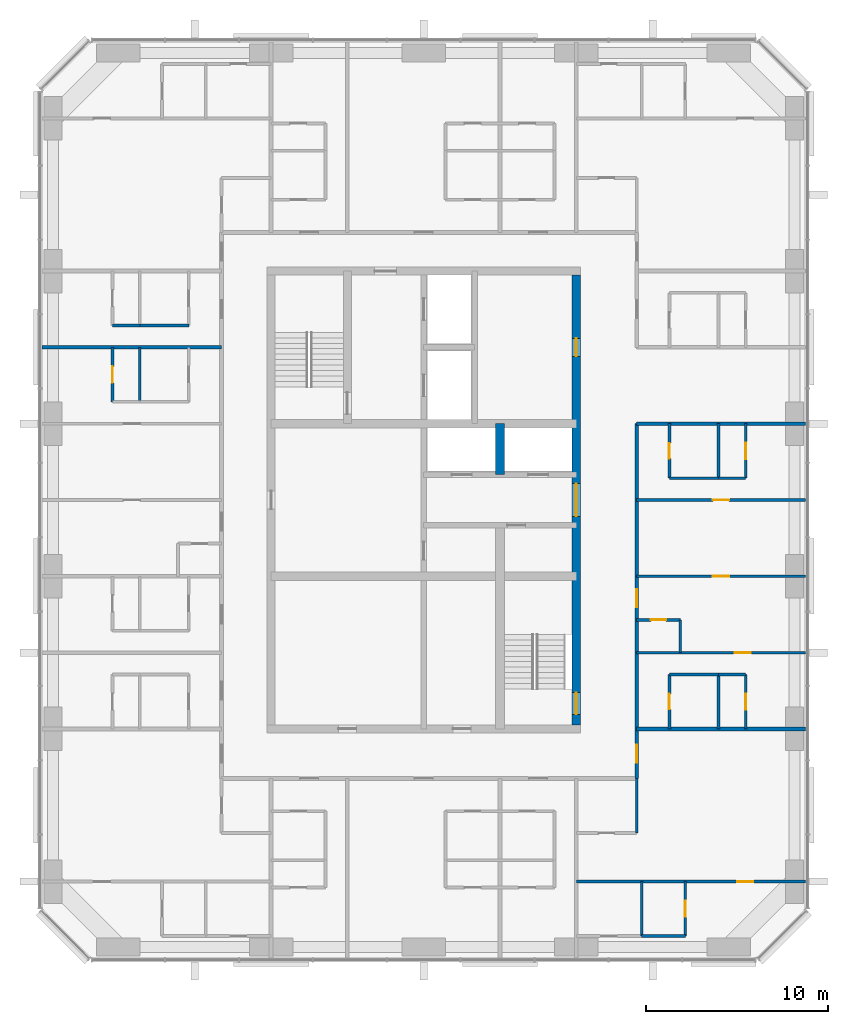
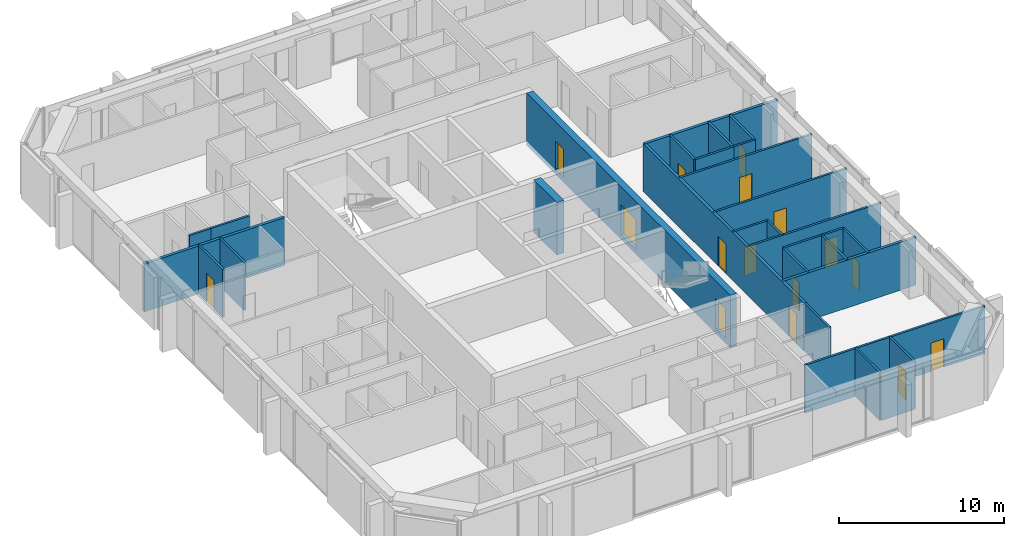
# One storey, part 9 of 12: 30 walls, 16 doors, 16 openings.
"""IFC4 building model written with IfcOpenShell, lengths in metres."""

from ifc_helpers import new_model, si_unit, direction, frame, frame_2d, origin, place, context, subcontext, project, spatial, rectangle, extrude, material, layer, layer_set, type_object, element, fill, save


model = new_model("IFC4")

# Units and contexts
model_context = context("Model", 3, precision=1e-05, world=origin(), true_north=direction((0.0, 1.0)))
body_context = subcontext(model_context, "Body", "Model", "MODEL_VIEW")
ifc_project = project(units=[si_unit("LENGTHUNIT", "METRE"), si_unit("AREAUNIT", "SQUARE_METRE"), si_unit("VOLUMEUNIT", "CUBIC_METRE"), si_unit("PLANEANGLEUNIT", "RADIAN"), si_unit("MASSUNIT", "GRAM", prefix="KILO")], contexts=[model_context])

# Site, building, storey
site_placement = place(None, origin())
site = spatial("IfcSite", under=ifc_project, at=site_placement, CompositionType="ELEMENT")
building_placement = place(site_placement, origin())
building = spatial("IfcBuilding", under=site, at=building_placement, Name="Dunama Terrace Hotel", CompositionType="ELEMENT")
storey_placement = place(building_placement, frame((0.0, 0.0, 272.39990234375)))
storey = spatial("IfcBuildingStorey", under=building, at=storey_placement, Name="L70", CompositionType="ELEMENT", Elevation=272.39990234375)

# Wall
ifc_material_1 = material(Name="Gypsum board partition", Category="masonry")
ifc_layer_1 = layer(ifc_material_1, 0.14990234375)
ifc_layer_set_1 = layer_set([ifc_layer_1], Name="Bathroom partition 150")
wall_type_1 = type_object("IfcWallType", Name="Bathroom partition 150", PredefinedType="PARTITIONING", material=ifc_layer_set_1)
wall_1_placement = place(storey_placement, frame((45.324951171875, 11.074951171875, 0.0), z_axis=(0.0, 0.0, 1.0), x_axis=(0.0, 1.0, 0.0)))
element("IfcWall", 1, at=wall_1_placement, inside=storey, type_object=wall_type_1, Name="Bathroom partition 150 L70", PredefinedType="PARTITIONING", context=body_context, shape_type="SweptSolid", body=[
    extrude(rectangle(XDim=3.0, YDim=0.14990234375, at=frame_2d((1.5, 0.0))), origin(), (0.0, 0.0, 1.0), 3.550048828125),
])

# Wall, opening, door
wall_2_placement = place(storey_placement, frame((47.125, 16.800048828125, 0.0), z_axis=(0.0, 0.0, 1.0), x_axis=(0.0, 1.0, 0.0)))
wall_2 = element("IfcWall", 2, at=wall_2_placement, inside=storey, type_object=wall_type_1, Name="Bathroom partition 150 L70", PredefinedType="PARTITIONING", context=body_context, shape_type="SweptSolid", body=[
    extrude(rectangle(XDim=3.0, YDim=0.14990234375, at=frame_2d((1.5, 0.0))), origin(), (0.0, 0.0, 1.0), 3.550048828125),
])
opening_1_placement = place(wall_2_placement, frame((1.074951171875, 0.0, 0.0)))
opening_1 = element("IfcOpeningElement", 3, at=opening_1_placement, cuts=wall_2, Name="Opening L68-70-019", PredefinedType="OPENING", context=body_context, shape_type="SweptSolid", body=[
    extrude(rectangle(XDim=0.85009765625, YDim=2.10009765625, at=frame_2d((0.425048828125, 1.050048828125))), frame((0.0, 0.0849609375, 0.0), z_axis=(0.0, -1.0, 0.0), x_axis=(1.0, 0.0, 0.0)), (0.0, 0.0, 1.0), 0.169921875),
])
ifc_material_2 = material(Name="Timber door with steel frame", Category="steel")
door_type_1 = type_object("IfcDoorType", Name="Bathroom door 850", OperationType="SINGLE_SWING_LEFT", PredefinedType="DOOR", material=ifc_material_2)
door_1_placement = place(opening_1_placement, frame((0.85009765625, 0.0, 0.0), z_axis=(0.0, 0.0, 1.0), x_axis=(-1.0, 0.0, 0.0)))
door_1 = element("IfcDoor", 4, at=door_1_placement, inside=storey, type_object=door_type_1, Name="Door to en-suite bathroom L68-70-019, type D2", OperationType="SINGLE_SWING_RIGHT", OverallHeight=2.10009765625, OverallWidth=0.85009765625, PredefinedType="DOOR", context=body_context, shape_type="SweptSolid", body=[
    extrude(rectangle(XDim=0.85009765625, YDim=2.10009765625, at=frame_2d((0.425048828125, 1.050048828125))), frame((0.0, 0.025146484375, 0.0), z_axis=(0.0, -1.0, 0.0), x_axis=(1.0, 0.0, 0.0)), (0.0, 0.0, 1.0), 0.050048828125),
])
fill(opening_1, door_1)

wall_3_placement = place(storey_placement, frame((47.125, 30.60009765625, 0.0), z_axis=(0.0, 0.0, 1.0), x_axis=(0.0, 1.0, 0.0)))
wall_3 = element("IfcWall", 5, at=wall_3_placement, inside=storey, type_object=wall_type_1, Name="Bathroom partition 150 L70", PredefinedType="PARTITIONING", context=body_context, shape_type="SweptSolid", body=[
    extrude(rectangle(XDim=3.0, YDim=0.14990234375, at=frame_2d((1.5, 0.0))), origin(), (0.0, 0.0, 1.0), 3.550048828125),
])
opening_2_placement = place(wall_3_placement, frame((1.074951171875, 0.0, 0.0)))
opening_2 = element("IfcOpeningElement", 6, at=opening_2_placement, cuts=wall_3, Name="Opening L68-70-023", PredefinedType="OPENING", context=body_context, shape_type="SweptSolid", body=[
    extrude(rectangle(XDim=0.85009765625, YDim=2.10009765625, at=frame_2d((0.425048828125, 1.050048828125))), frame((0.0, 0.0849609375, 0.0), z_axis=(0.0, -1.0, 0.0), x_axis=(1.0, 0.0, 0.0)), (0.0, 0.0, 1.0), 0.169921875),
])
door_2_placement = place(opening_2_placement, frame((0.85009765625, 0.0, 0.0), z_axis=(0.0, 0.0, 1.0), x_axis=(-1.0, 0.0, 0.0)))
door_2 = element("IfcDoor", 7, at=door_2_placement, inside=storey, type_object=door_type_1, Name="Door to en-suite bathroom L68-70-023, type D2", OperationType="SINGLE_SWING_LEFT", OverallHeight=2.10009765625, OverallWidth=0.85009765625, PredefinedType="DOOR", context=body_context, shape_type="SweptSolid", body=[
    extrude(rectangle(XDim=0.85009765625, YDim=2.10009765625, at=frame_2d((0.425048828125, 1.050048828125))), frame((0.0, 0.025146484375, 0.0), z_axis=(0.0, -1.0, 0.0), x_axis=(1.0, 0.0, 0.0)), (0.0, 0.0, 1.0), 0.050048828125),
])
fill(opening_2, door_2)

# Walls
wall_4_placement = place(storey_placement, frame((47.72509765625, 21.0, 0.0), z_axis=(0.0, 0.0, 1.0), x_axis=(0.0, 1.0, 0.0)))
element("IfcWall", 8, at=wall_4_placement, inside=storey, type_object=wall_type_1, Name="Bathroom partition 150 L70", PredefinedType="PARTITIONING", context=body_context, shape_type="SweptSolid", body=[
    extrude(rectangle(XDim=1.800048828125, YDim=0.14990234375, at=frame_2d((0.89990234375, 0.0))), origin(), (0.0, 0.0, 1.0), 3.550048828125),
])
wall_5_placement = place(storey_placement, frame((47.125, 19.800048828125, 0.0), z_axis=(0.0, 0.0, 1.0), x_axis=(1.0, 0.0, 0.0)))
element("IfcWall", 9, at=wall_5_placement, inside=storey, type_object=wall_type_1, Name="Bathroom partition 150 L70", PredefinedType="PARTITIONING", context=body_context, shape_type="SweptSolid", body=[
    extrude(rectangle(XDim=2.699951171875, YDim=0.14990234375, at=frame_2d((1.35009765625, 0.0))), origin(), (0.0, 0.0, 1.0), 3.550048828125),
])

# Wall, opening, door
wall_6_placement = place(storey_placement, frame((45.324951171875, 22.800048828125, 0.0), z_axis=(0.0, 0.0, 1.0), x_axis=(1.0, 0.0, 0.0)))
wall_6 = element("IfcWall", 10, at=wall_6_placement, inside=storey, type_object=wall_type_1, Name="Bathroom partition 150 L70", PredefinedType="PARTITIONING", context=body_context, shape_type="SweptSolid", body=[
    extrude(rectangle(XDim=2.400146484375, YDim=0.14990234375, at=frame_2d((1.2001953125, 0.0))), origin(), (0.0, 0.0, 1.0), 3.550048828125),
])
opening_3_placement = place(wall_6_placement, frame((0.77490234375, 0.0, 0.0)))
opening_3 = element("IfcOpeningElement", 11, at=opening_3_placement, cuts=wall_6, Name="Opening L68-70-017", PredefinedType="OPENING", context=body_context, shape_type="SweptSolid", body=[
    extrude(rectangle(XDim=0.85009765625, YDim=2.10009765625, at=frame_2d((0.425048828125, 1.050048828125))), frame((0.0, 0.0849609375, 0.0), z_axis=(0.0, -1.0, 0.0), x_axis=(1.0, 0.0, 0.0)), (0.0, 0.0, 1.0), 0.169921875),
])
door_3_placement = place(opening_3_placement, frame((0.85009765625, 0.0, 0.0), z_axis=(0.0, 0.0, 1.0), x_axis=(-1.0, 0.0, 0.0)))
door_3 = element("IfcDoor", 12, at=door_3_placement, inside=storey, type_object=door_type_1, Name="Door to powder room L68-70-017, type D2", OperationType="SINGLE_SWING_RIGHT", OverallHeight=2.10009765625, OverallWidth=0.85009765625, PredefinedType="DOOR", context=body_context, shape_type="SweptSolid", body=[
    extrude(rectangle(XDim=0.85009765625, YDim=2.10009765625, at=frame_2d((0.425048828125, 1.050048828125))), frame((0.0, 0.025146484375, 0.0), z_axis=(0.0, -1.0, 0.0), x_axis=(1.0, 0.0, 0.0)), (0.0, 0.0, 1.0), 0.050048828125),
])
fill(opening_3, door_3)

# Walls
for number, where, z_axis, x_axis, name in (
    (13, (47.125, 30.60009765625, 0.0), (0.0, 0.0, 1.0), (1.0, 0.0, 0.0), "Bathroom partition 150 L70"),
    (14, (17.97509765625, 39.0, 0.0), (0.0, 0.0, 1.0), (1.0, 0.0, 0.0), "Bathroom partition 150 L70"),
):
    element("IfcWall", number, at=place(storey_placement, frame(where, z_axis=z_axis, x_axis=x_axis)), inside=storey, type_object=wall_type_1, Name=name, PredefinedType="PARTITIONING", context=body_context, shape_type="SweptSolid", body=[
        extrude(rectangle(XDim=2.699951171875, YDim=0.14990234375, at=frame_2d((1.35009765625, 0.0))), origin(), (0.0, 0.0, 1.0), 3.550048828125),
    ])
ifc_material_3 = material(Name="Concrete C50/60", Category="concrete")
ifc_layer_2 = layer(ifc_material_3, 0.5)
ifc_layer_set_2 = layer_set([ifc_layer_2], Name="Core inner wall 500")
wall_type_2 = type_object("IfcWallType", Name="Core inner wall 500", PredefinedType="SHEAR", material=ifc_layer_set_2)
wall_7_placement = place(storey_placement, frame((37.800048828125, 30.800048828125, -0.349853515625), z_axis=(0.0, 0.0, 1.0), x_axis=(0.0, 1.0, 0.0)))
element("IfcWall", 15, at=wall_7_placement, inside=storey, type_object=wall_type_2, Name="Core inner wall 500 L70", PredefinedType="SHEAR", context=body_context, shape_type="SweptSolid", body=[
    extrude(rectangle(XDim=2.800048828125, YDim=0.5, at=frame_2d((1.39990234375, 0.0))), origin(), (0.0, 0.0, 1.0), 3.89990234375),
])

# Wall, openings, doors
ifc_material_4 = material(Name="Concrete C50/60", Category="concrete")
ifc_layer_3 = layer(ifc_material_4, 0.449951171875)
ifc_layer_set_3 = layer_set([ifc_layer_3], Name="Core wall 450")
wall_type_3 = type_object("IfcWallType", Name="Core wall 450", PredefinedType="SHEAR", material=ifc_layer_set_3)
wall_8_placement = place(storey_placement, frame((42.0, 17.02490234375, -0.349853515625), z_axis=(0.0, 0.0, 1.0), x_axis=(0.0, 1.0, 0.0)))
wall_8 = element("IfcWall", 16, at=wall_8_placement, inside=storey, type_object=wall_type_3, Name="Core wall east L70", PredefinedType="SHEAR", context=body_context, shape_type="SweptSolid", body=[
    extrude(rectangle(XDim=24.75, YDim=0.449951171875, at=frame_2d((12.375, 0.0))), origin(), (0.0, 0.0, 1.0), 3.89990234375),
])
opening_4_placement = place(wall_8_placement, frame((0.574951171875, 0.0, 0.35009765625)))
opening_4 = element("IfcOpeningElement", 17, at=opening_4_placement, cuts=wall_8, Name="Opening L68-70-002", PredefinedType="OPENING", context=body_context, shape_type="SweptSolid", body=[
    extrude(rectangle(XDim=1.199951171875, YDim=2.199951171875, at=frame_2d((0.60009765625, 1.10009765625))), frame((0.0, 0.23486328125, 0.0), z_axis=(0.0, -1.0, 0.0), x_axis=(1.0, 0.0, 0.0)), (0.0, 0.0, 1.0), 0.469970703125),
])
opening_5_placement = place(wall_8_placement, frame((11.47509765625, 0.0, 0.35009765625)))
opening_5 = element("IfcOpeningElement", 18, at=opening_5_placement, cuts=wall_8, Name="Opening L68-70-075", PredefinedType="OPENING", context=body_context, shape_type="SweptSolid", body=[
    extrude(rectangle(XDim=1.800048828125, YDim=2.199951171875, at=frame_2d((0.89990234375, 1.10009765625))), frame((0.0, 0.23486328125, 0.0), z_axis=(0.0, -1.0, 0.0), x_axis=(1.0, 0.0, 0.0)), (0.0, 0.0, 1.0), 0.469970703125),
])
opening_6_placement = place(wall_8_placement, frame((20.27490234375, 0.0, 0.35009765625)))
opening_6 = element("IfcOpeningElement", 19, at=opening_6_placement, cuts=wall_8, Name="Opening L68-70-077", PredefinedType="OPENING", context=body_context, shape_type="SweptSolid", body=[
    extrude(rectangle(XDim=1.0, YDim=2.10009765625, at=frame_2d((0.5, 1.050048828125))), frame((0.0, 0.23486328125, 0.0), z_axis=(0.0, -1.0, 0.0), x_axis=(1.0, 0.0, 0.0)), (0.0, 0.0, 1.0), 0.469970703125),
])
ifc_material_5 = material(Name="Timber door with steel frame", Category="steel")
door_type_2 = type_object("IfcDoorType", Name="Lift lobby double door 1800", OperationType="DOUBLE_DOOR_DOUBLE_SWING", PredefinedType="DOOR", material=ifc_material_5)
door_4_placement = place(opening_5_placement, origin())
door_4 = element("IfcDoor", 20, at=door_4_placement, inside=storey, type_object=door_type_2, Name="Door to lift lobby L68-70-075, type D3", OperationType="DOUBLE_DOOR_DOUBLE_SWING", OverallHeight=2.199951171875, OverallWidth=1.800048828125, PredefinedType="DOOR", context=body_context, shape_type="SweptSolid", body=[
    extrude(rectangle(XDim=1.800048828125, YDim=2.199951171875, at=frame_2d((0.89990234375, 1.10009765625))), frame((0.0, 0.02490234375, 0.0), z_axis=(0.0, -1.0, 0.0), x_axis=(1.0, 0.0, 0.0)), (0.0, 0.0, 1.0), 0.050048828125),
])
fill(opening_5, door_4)
ifc_material_6 = material(Name="Timber door with steel frame", Category="steel")
door_type_3 = type_object("IfcDoorType", Name="Service door 1000", OperationType="SINGLE_SWING_LEFT", PredefinedType="DOOR", material=ifc_material_6)
door_5_placement = place(opening_6_placement, origin())
door_5 = element("IfcDoor", 21, at=door_5_placement, inside=storey, type_object=door_type_3, Name="Door to housekeeping store L68-70-077, type D7", OperationType="SINGLE_SWING_RIGHT", OverallHeight=2.10009765625, OverallWidth=1.0, PredefinedType="DOOR", context=body_context, shape_type="SweptSolid", body=[
    extrude(rectangle(XDim=1.0, YDim=2.10009765625, at=frame_2d((0.5, 1.050048828125))), frame((0.0, 0.02490234375, 0.0), z_axis=(0.0, -1.0, 0.0), x_axis=(1.0, 0.0, 0.0)), (0.0, 0.0, 1.0), 0.050048828125),
])
fill(opening_6, door_5)
ifc_material_7 = material(Name="Timber door with steel frame", Category="steel")
door_type_4 = type_object("IfcDoorType", Name="Stair door 1200", OperationType="SINGLE_SWING_LEFT", PredefinedType="DOOR", material=ifc_material_7)
door_6_placement = place(opening_4_placement, origin())
door_6 = element("IfcDoor", 22, at=door_6_placement, inside=storey, type_object=door_type_4, Name="Stair door ST2 L68-70-002, type D5", OperationType="SINGLE_SWING_LEFT", OverallHeight=2.199951171875, OverallWidth=1.199951171875, PredefinedType="DOOR", context=body_context, shape_type="SweptSolid", body=[
    extrude(rectangle(XDim=1.199951171875, YDim=2.199951171875, at=frame_2d((0.60009765625, 1.10009765625))), frame((0.0, 0.02490234375, 0.0), z_axis=(0.0, -1.0, 0.0), x_axis=(1.0, 0.0, 0.0)), (0.0, 0.0, 1.0), 0.050048828125),
])
fill(opening_4, door_6)

ifc_material_8 = material(Name="Concrete blockwork", Category="masonry")
ifc_layer_4 = layer(ifc_material_8, 0.199951171875)
ifc_layer_set_4 = layer_set([ifc_layer_4], Name="Corridor partition 200")
wall_type_4 = type_object("IfcWallType", Name="Corridor partition 200", PredefinedType="PARTITIONING", material=ifc_layer_set_4)
wall_9_placement = place(storey_placement, frame((45.324951171875, 33.60009765625, 0.0), z_axis=(0.0, 0.0, 1.0), x_axis=(0.0, -1.0, 0.0)))
wall_9 = element("IfcWall", 23, at=wall_9_placement, inside=storey, type_object=wall_type_4, Name="Corridor partition 200 L70", PredefinedType="PARTITIONING", context=body_context, shape_type="SweptSolid", body=[
    extrude(rectangle(XDim=19.525146484375, YDim=0.199951171875, at=frame_2d((9.7626953125, 0.0))), origin(), (0.0, 0.0, 1.0), 3.550048828125),
])
opening_7_placement = place(wall_9_placement, frame((9.10009765625, 0.0, 0.0)))
opening_7 = element("IfcOpeningElement", 24, at=opening_7_placement, cuts=wall_9, Name="Opening L68-70-016", PredefinedType="OPENING", context=body_context, shape_type="SweptSolid", body=[
    extrude(rectangle(XDim=1.0, YDim=2.199951171875, at=frame_2d((0.5, 1.10009765625))), frame((0.0, 0.10986328125, 0.0), z_axis=(0.0, -1.0, 0.0), x_axis=(1.0, 0.0, 0.0)), (0.0, 0.0, 1.0), 0.219970703125),
])
opening_8_placement = place(wall_9_placement, frame((17.662109375, 0.0, 0.0)))
opening_8 = element("IfcOpeningElement", 25, at=opening_8_placement, cuts=wall_9, Name="Opening L68-70-057", PredefinedType="OPENING", context=body_context, shape_type="SweptSolid", body=[
    extrude(rectangle(XDim=1.0, YDim=2.199951171875, at=frame_2d((0.5, 1.10009765625))), frame((0.0, 0.10986328125, 0.0), z_axis=(0.0, -1.0, 0.0), x_axis=(1.0, 0.0, 0.0)), (0.0, 0.0, 1.0), 0.219970703125),
])
ifc_material_9 = material(Name="Timber door with steel frame", Category="steel")
door_type_5 = type_object("IfcDoorType", Name="Guest room door 1000", OperationType="SINGLE_SWING_LEFT", PredefinedType="DOOR", material=ifc_material_9)
door_7_placement = place(opening_7_placement, origin())
door_7 = element("IfcDoor", 26, at=door_7_placement, inside=storey, type_object=door_type_5, Name="Door to grand suite living room L68-70-016, type D1", OperationType="SINGLE_SWING_RIGHT", OverallHeight=2.199951171875, OverallWidth=1.0, PredefinedType="DOOR", context=body_context, shape_type="SweptSolid", body=[
    extrude(rectangle(XDim=1.0, YDim=2.199951171875, at=frame_2d((0.5, 1.10009765625))), frame((0.0, 0.02490234375, 0.0), z_axis=(0.0, -1.0, 0.0), x_axis=(1.0, 0.0, 0.0)), (0.0, 0.0, 1.0), 0.050048828125),
])
fill(opening_7, door_7)
door_8_placement = place(opening_8_placement, origin())
door_8 = element("IfcDoor", 27, at=door_8_placement, inside=storey, type_object=door_type_5, Name="Door to grand corner suite living room L68-70-057, type D1", OperationType="SINGLE_SWING_LEFT", OverallHeight=2.199951171875, OverallWidth=1.0, PredefinedType="DOOR", context=body_context, shape_type="SweptSolid", body=[
    extrude(rectangle(XDim=1.0, YDim=2.199951171875, at=frame_2d((0.5, 1.10009765625))), frame((0.0, 0.02490234375, 0.0), z_axis=(0.0, -1.0, 0.0), x_axis=(1.0, 0.0, 0.0)), (0.0, 0.0, 1.0), 0.050048828125),
])
fill(opening_8, door_8)

# Walls
wall_10_placement = place(storey_placement, frame((54.617919921875, 33.60009765625, 0.0), z_axis=(0.0, 0.0, 1.0), x_axis=(-1.0, 0.0, 0.0)))
element("IfcWall", 28, at=wall_10_placement, inside=storey, type_object=wall_type_4, Name="Corridor partition 200 L70", PredefinedType="PARTITIONING", context=body_context, shape_type="SweptSolid", body=[
    extrude(rectangle(XDim=9.29296875, YDim=0.199951171875, at=frame_2d((4.646484375, 0.0))), origin(), (0.0, 0.0, 1.0), 3.550048828125),
])
ifc_material_10 = material(Name="Concrete blockwork", Category="masonry")
ifc_layer_5 = layer(ifc_material_10, 0.199951171875)
ifc_layer_set_5 = layer_set([ifc_layer_5], Name="Party wall 200")
wall_type_5 = type_object("IfcWallType", Name="Party wall 200", PredefinedType="PARTITIONING", material=ifc_layer_set_5)
wall_11_placement = place(storey_placement, frame((45.324951171875, 16.800048828125, 0.0), z_axis=(0.0, 0.0, 1.0), x_axis=(1.0, 0.0, 0.0)))
element("IfcWall", 29, at=wall_11_placement, inside=storey, type_object=wall_type_5, Name="Party wall 200 L70", PredefinedType="PARTITIONING", context=body_context, shape_type="SweptSolid", body=[
    extrude(rectangle(XDim=9.29296875, YDim=0.199951171875, at=frame_2d((4.646484375, 0.0))), origin(), (0.0, 0.0, 1.0), 3.550048828125),
])
wall_12_placement = place(storey_placement, frame((12.58203125, 37.800048828125, 0.0), z_axis=(0.0, 0.0, 1.0), x_axis=(1.0, 0.0, 0.0)))
element("IfcWall", 30, at=wall_12_placement, inside=storey, type_object=wall_type_5, Name="Party wall 200 L70", PredefinedType="PARTITIONING", context=body_context, shape_type="SweptSolid", body=[
    extrude(rectangle(XDim=9.89306640625, YDim=0.199951171875, at=frame_2d((4.946533203125, 0.0))), origin(), (0.0, 0.0, 1.0), 3.550048828125),
])

# Wall, opening, door
ifc_material_11 = material(Name="Gypsum board partition", Category="masonry")
ifc_layer_6 = layer(ifc_material_11, 0.14990234375)
ifc_layer_set_6 = layer_set([ifc_layer_6], Name="Room partition 150")
wall_type_6 = type_object("IfcWallType", Name="Room partition 150", PredefinedType="PARTITIONING", material=ifc_layer_set_6)
wall_13_placement = place(storey_placement, frame((16.47509765625, 34.800048828125, 0.0), z_axis=(0.0, 0.0, 1.0), x_axis=(0.0, 1.0, 0.0)))
wall_13 = element("IfcWall", 31, at=wall_13_placement, inside=storey, type_object=wall_type_6, Name="Room partition 150 L70", PredefinedType="PARTITIONING", context=body_context, shape_type="SweptSolid", body=[
    extrude(rectangle(XDim=3.0, YDim=0.14990234375, at=frame_2d((1.5, 0.0))), origin(), (0.0, 0.0, 1.0), 3.550048828125),
])
opening_9_placement = place(wall_13_placement, frame((1.050048828125, 0.0, 0.0)))
opening_9 = element("IfcOpeningElement", 32, at=opening_9_placement, cuts=wall_13, Name="Opening L68-70-048", PredefinedType="OPENING", context=body_context, shape_type="SweptSolid", body=[
    extrude(rectangle(XDim=0.89990234375, YDim=2.10009765625, at=frame_2d((0.449951171875, 1.050048828125))), frame((0.0, 0.0849609375, 0.0), z_axis=(0.0, -1.0, 0.0), x_axis=(1.0, 0.0, 0.0)), (0.0, 0.0, 1.0), 0.169921875),
])
ifc_material_12 = material(Name="Timber door with steel frame", Category="steel")
door_type_6 = type_object("IfcDoorType", Name="Suite internal door 900", OperationType="SINGLE_SWING_LEFT", PredefinedType="DOOR", material=ifc_material_12)
door_9_placement = place(opening_9_placement, frame((0.89990234375, 0.0, 0.0), z_axis=(0.0, 0.0, 1.0), x_axis=(-1.0, 0.0, 0.0)))
door_9 = element("IfcDoor", 33, at=door_9_placement, inside=storey, type_object=door_type_6, Name="Door to walk-in wardrobe L68-70-048, type D16", OperationType="SINGLE_SWING_RIGHT", OverallHeight=2.10009765625, OverallWidth=0.89990234375, PredefinedType="DOOR", context=body_context, shape_type="SweptSolid", body=[
    extrude(rectangle(XDim=0.89990234375, YDim=2.10009765625, at=frame_2d((0.449951171875, 1.050048828125))), frame((0.0, 0.025146484375, 0.0), z_axis=(0.0, -1.0, 0.0), x_axis=(1.0, 0.0, 0.0)), (0.0, 0.0, 1.0), 0.050048828125),
])
fill(opening_9, door_9)

# Walls
for number, where, z_axis, x_axis, name in (
    (34, (17.97509765625, 34.800048828125, 0.0), (0.0, 0.0, 1.0), (0.0, 1.0, 0.0), "Room partition 150 L70"),
    (35, (45.60009765625, 5.39990234375, 0.0), (0.0, 0.0, 1.0), (0.0, 1.0, 0.0), "Room partition 150 L70"),
):
    element("IfcWall", number, at=place(storey_placement, frame(where, z_axis=z_axis, x_axis=x_axis)), inside=storey, type_object=wall_type_6, Name=name, PredefinedType="PARTITIONING", context=body_context, shape_type="SweptSolid", body=[
        extrude(rectangle(XDim=3.0, YDim=0.14990234375, at=frame_2d((1.5, 0.0))), origin(), (0.0, 0.0, 1.0), 3.550048828125),
    ])

# Wall, opening, door
wall_14_placement = place(storey_placement, frame((48.0, 5.39990234375, 0.0), z_axis=(0.0, 0.0, 1.0), x_axis=(0.0, 1.0, 0.0)))
wall_14 = element("IfcWall", 36, at=wall_14_placement, inside=storey, type_object=wall_type_6, Name="Room partition 150 L70", PredefinedType="PARTITIONING", context=body_context, shape_type="SweptSolid", body=[
    extrude(rectangle(XDim=3.0, YDim=0.14990234375, at=frame_2d((1.5, 0.0))), origin(), (0.0, 0.0, 1.0), 3.550048828125),
])
opening_10_placement = place(wall_14_placement, frame((1.050048828125, 0.0, 0.0)))
opening_10 = element("IfcOpeningElement", 37, at=opening_10_placement, cuts=wall_14, Name="Opening L68-70-061", PredefinedType="OPENING", context=body_context, shape_type="SweptSolid", body=[
    extrude(rectangle(XDim=0.89990234375, YDim=2.10009765625, at=frame_2d((0.449951171875, 1.050048828125))), frame((0.0, 0.0849609375, 0.0), z_axis=(0.0, -1.0, 0.0), x_axis=(1.0, 0.0, 0.0)), (0.0, 0.0, 1.0), 0.169921875),
])
door_10_placement = place(opening_10_placement, origin())
door_10 = element("IfcDoor", 38, at=door_10_placement, inside=storey, type_object=door_type_6, Name="Door to dressing room L68-70-061, type D16", OperationType="SINGLE_SWING_LEFT", OverallHeight=2.10009765625, OverallWidth=0.89990234375, PredefinedType="DOOR", context=body_context, shape_type="SweptSolid", body=[
    extrude(rectangle(XDim=0.89990234375, YDim=2.10009765625, at=frame_2d((0.449951171875, 1.050048828125))), frame((0.0, 0.02490234375, 0.0), z_axis=(0.0, -1.0, 0.0), x_axis=(1.0, 0.0, 0.0)), (0.0, 0.0, 1.0), 0.050048828125),
])
fill(opening_10, door_10)

# Walls
for number, where, z_axis, x_axis, name in (
    (39, (49.824951171875, 16.800048828125, 0.0), (0.0, 0.0, 1.0), (0.0, 1.0, 0.0), "Room partition 150 L70"),
    (40, (49.824951171875, 30.60009765625, 0.0), (0.0, 0.0, 1.0), (0.0, 1.0, 0.0), "Room partition 150 L70"),
):
    element("IfcWall", number, at=place(storey_placement, frame(where, z_axis=z_axis, x_axis=x_axis)), inside=storey, type_object=wall_type_6, Name=name, PredefinedType="PARTITIONING", context=body_context, shape_type="SweptSolid", body=[
        extrude(rectangle(XDim=3.0, YDim=0.14990234375, at=frame_2d((1.5, 0.0))), origin(), (0.0, 0.0, 1.0), 3.550048828125),
    ])

# Wall, opening, door
wall_15_placement = place(storey_placement, frame((51.324951171875, 16.800048828125, 0.0), z_axis=(0.0, 0.0, 1.0), x_axis=(0.0, 1.0, 0.0)))
wall_15 = element("IfcWall", 41, at=wall_15_placement, inside=storey, type_object=wall_type_6, Name="Room partition 150 L70", PredefinedType="PARTITIONING", context=body_context, shape_type="SweptSolid", body=[
    extrude(rectangle(XDim=3.0, YDim=0.14990234375, at=frame_2d((1.5, 0.0))), origin(), (0.0, 0.0, 1.0), 3.550048828125),
])
opening_11_placement = place(wall_15_placement, frame((1.050048828125, 0.0, 0.0)))
opening_11 = element("IfcOpeningElement", 42, at=opening_11_placement, cuts=wall_15, Name="Opening L68-70-020", PredefinedType="OPENING", context=body_context, shape_type="SweptSolid", body=[
    extrude(rectangle(XDim=0.89990234375, YDim=2.10009765625, at=frame_2d((0.449951171875, 1.050048828125))), frame((0.0, 0.0849609375, 0.0), z_axis=(0.0, -1.0, 0.0), x_axis=(1.0, 0.0, 0.0)), (0.0, 0.0, 1.0), 0.169921875),
])
door_11_placement = place(opening_11_placement, origin())
door_11 = element("IfcDoor", 43, at=door_11_placement, inside=storey, type_object=door_type_6, Name="Door to walk-in wardrobe L68-70-020, type D16", OperationType="SINGLE_SWING_LEFT", OverallHeight=2.10009765625, OverallWidth=0.89990234375, PredefinedType="DOOR", context=body_context, shape_type="SweptSolid", body=[
    extrude(rectangle(XDim=0.89990234375, YDim=2.10009765625, at=frame_2d((0.449951171875, 1.050048828125))), frame((0.0, 0.02490234375, 0.0), z_axis=(0.0, -1.0, 0.0), x_axis=(1.0, 0.0, 0.0)), (0.0, 0.0, 1.0), 0.050048828125),
])
fill(opening_11, door_11)

wall_16_placement = place(storey_placement, frame((51.324951171875, 30.60009765625, 0.0), z_axis=(0.0, 0.0, 1.0), x_axis=(0.0, 1.0, 0.0)))
wall_16 = element("IfcWall", 44, at=wall_16_placement, inside=storey, type_object=wall_type_6, Name="Room partition 150 L70", PredefinedType="PARTITIONING", context=body_context, shape_type="SweptSolid", body=[
    extrude(rectangle(XDim=3.0, YDim=0.14990234375, at=frame_2d((1.5, 0.0))), origin(), (0.0, 0.0, 1.0), 3.550048828125),
])
opening_12_placement = place(wall_16_placement, frame((1.050048828125, 0.0, 0.0)))
opening_12 = element("IfcOpeningElement", 45, at=opening_12_placement, cuts=wall_16, Name="Opening L68-70-024", PredefinedType="OPENING", context=body_context, shape_type="SweptSolid", body=[
    extrude(rectangle(XDim=0.89990234375, YDim=2.10009765625, at=frame_2d((0.449951171875, 1.050048828125))), frame((0.0, 0.0849609375, 0.0), z_axis=(0.0, -1.0, 0.0), x_axis=(1.0, 0.0, 0.0)), (0.0, 0.0, 1.0), 0.169921875),
])
door_12_placement = place(opening_12_placement, origin())
door_12 = element("IfcDoor", 46, at=door_12_placement, inside=storey, type_object=door_type_6, Name="Door to walk-in wardrobe L68-70-024, type D16", OperationType="SINGLE_SWING_LEFT", OverallHeight=2.10009765625, OverallWidth=0.89990234375, PredefinedType="DOOR", context=body_context, shape_type="SweptSolid", body=[
    extrude(rectangle(XDim=0.89990234375, YDim=2.10009765625, at=frame_2d((0.449951171875, 1.050048828125))), frame((0.0, 0.02490234375, 0.0), z_axis=(0.0, -1.0, 0.0), x_axis=(1.0, 0.0, 0.0)), (0.0, 0.0, 1.0), 0.050048828125),
])
fill(opening_12, door_12)

# Wall
wall_17_placement = place(storey_placement, frame((45.60009765625, 5.39990234375, 0.0), z_axis=(0.0, 0.0, 1.0), x_axis=(1.0, 0.0, 0.0)))
element("IfcWall", 47, at=wall_17_placement, inside=storey, type_object=wall_type_6, Name="Room partition 150 L70", PredefinedType="PARTITIONING", context=body_context, shape_type="SweptSolid", body=[
    extrude(rectangle(XDim=2.39990234375, YDim=0.14990234375, at=frame_2d((1.199951171875, 0.0))), origin(), (0.0, 0.0, 1.0), 3.550048828125),
])

# Wall, opening, door
wall_18_placement = place(storey_placement, frame((42.0, 8.39990234375, 0.0), z_axis=(0.0, 0.0, 1.0), x_axis=(1.0, 0.0, 0.0)))
wall_18 = element("IfcWall", 48, at=wall_18_placement, inside=storey, type_object=wall_type_6, Name="Room partition 150 L70", PredefinedType="PARTITIONING", context=body_context, shape_type="SweptSolid", body=[
    extrude(rectangle(XDim=12.617919921875, YDim=0.14990234375, at=frame_2d((6.30908203125, 0.0))), origin(), (0.0, 0.0, 1.0), 3.550048828125),
])
opening_13_placement = place(wall_18_placement, frame((8.85009765625, 0.0, 0.0)))
opening_13 = element("IfcOpeningElement", 49, at=opening_13_placement, cuts=wall_18, Name="Opening L68-70-059", PredefinedType="OPENING", context=body_context, shape_type="SweptSolid", body=[
    extrude(rectangle(XDim=0.89990234375, YDim=2.10009765625, at=frame_2d((0.449951171875, 1.050048828125))), frame((0.0, 0.0849609375, 0.0), z_axis=(0.0, -1.0, 0.0), x_axis=(1.0, 0.0, 0.0)), (0.0, 0.0, 1.0), 0.169921875),
])
door_13_placement = place(opening_13_placement, frame((0.89990234375, 0.0, 0.0), z_axis=(0.0, 0.0, 1.0), x_axis=(-1.0, 0.0, 0.0)))
door_13 = element("IfcDoor", 50, at=door_13_placement, inside=storey, type_object=door_type_6, Name="Door to grand corner suite bedroom L68-70-059, type D16", OperationType="SINGLE_SWING_LEFT", OverallHeight=2.10009765625, OverallWidth=0.89990234375, PredefinedType="DOOR", context=body_context, shape_type="SweptSolid", body=[
    extrude(rectangle(XDim=0.89990234375, YDim=2.10009765625, at=frame_2d((0.449951171875, 1.050048828125))), frame((0.0, 0.025146484375, 0.0), z_axis=(0.0, -1.0, 0.0), x_axis=(1.0, 0.0, 0.0)), (0.0, 0.0, 1.0), 0.050048828125),
])
fill(opening_13, door_13)

# Wall
wall_19_placement = place(storey_placement, frame((49.824951171875, 19.800048828125, 0.0), z_axis=(0.0, 0.0, 1.0), x_axis=(1.0, 0.0, 0.0)))
element("IfcWall", 51, at=wall_19_placement, inside=storey, type_object=wall_type_6, Name="Room partition 150 L70", PredefinedType="PARTITIONING", context=body_context, shape_type="SweptSolid", body=[
    extrude(rectangle(XDim=1.5, YDim=0.14990234375, at=frame_2d((0.75, 0.0))), origin(), (0.0, 0.0, 1.0), 3.550048828125),
])

# Wall, opening, door
wall_20_placement = place(storey_placement, frame((45.324951171875, 21.0, 0.0), z_axis=(0.0, 0.0, 1.0), x_axis=(1.0, 0.0, 0.0)))
wall_20 = element("IfcWall", 52, at=wall_20_placement, inside=storey, type_object=wall_type_6, Name="Room partition 150 L70", PredefinedType="PARTITIONING", context=body_context, shape_type="SweptSolid", body=[
    extrude(rectangle(XDim=9.29296875, YDim=0.14990234375, at=frame_2d((4.646484375, 0.0))), origin(), (0.0, 0.0, 1.0), 3.550048828125),
])
opening_14_placement = place(wall_20_placement, frame((5.386962890625, 0.0, 0.0)))
opening_14 = element("IfcOpeningElement", 53, at=opening_14_placement, cuts=wall_20, Name="Opening L68-70-018", PredefinedType="OPENING", context=body_context, shape_type="SweptSolid", body=[
    extrude(rectangle(XDim=0.89990234375, YDim=2.10009765625, at=frame_2d((0.449951171875, 1.050048828125))), frame((0.0, 0.0849609375, 0.0), z_axis=(0.0, -1.0, 0.0), x_axis=(1.0, 0.0, 0.0)), (0.0, 0.0, 1.0), 0.169921875),
])
door_14_placement = place(opening_14_placement, frame((0.89990234375, 0.0, 0.0), z_axis=(0.0, 0.0, 1.0), x_axis=(-1.0, 0.0, 0.0)))
door_14 = element("IfcDoor", 54, at=door_14_placement, inside=storey, type_object=door_type_6, Name="Door to grand suite bedroom L68-70-018, type D16", OperationType="SINGLE_SWING_RIGHT", OverallHeight=2.10009765625, OverallWidth=0.89990234375, PredefinedType="DOOR", context=body_context, shape_type="SweptSolid", body=[
    extrude(rectangle(XDim=0.89990234375, YDim=2.10009765625, at=frame_2d((0.449951171875, 1.050048828125))), frame((0.0, 0.025146484375, 0.0), z_axis=(0.0, -1.0, 0.0), x_axis=(1.0, 0.0, 0.0)), (0.0, 0.0, 1.0), 0.050048828125),
])
fill(opening_14, door_14)

wall_21_placement = place(storey_placement, frame((45.324951171875, 25.199951171875, 0.0), z_axis=(0.0, 0.0, 1.0), x_axis=(1.0, 0.0, 0.0)))
wall_21 = element("IfcWall", 55, at=wall_21_placement, inside=storey, type_object=wall_type_6, Name="Room partition 150 L70", PredefinedType="PARTITIONING", context=body_context, shape_type="SweptSolid", body=[
    extrude(rectangle(XDim=9.29296875, YDim=0.14990234375, at=frame_2d((4.646484375, 0.0))), origin(), (0.0, 0.0, 1.0), 3.550048828125),
])
opening_15_placement = place(wall_21_placement, frame((4.18798828125, 0.0, 0.0)))
opening_15 = element("IfcOpeningElement", 56, at=opening_15_placement, cuts=wall_21, Name="Opening L68-70-021", PredefinedType="OPENING", context=body_context, shape_type="SweptSolid", body=[
    extrude(rectangle(XDim=0.89990234375, YDim=2.10009765625, at=frame_2d((0.449951171875, 1.050048828125))), frame((0.0, 0.0849609375, 0.0), z_axis=(0.0, -1.0, 0.0), x_axis=(1.0, 0.0, 0.0)), (0.0, 0.0, 1.0), 0.169921875),
])
door_15_placement = place(opening_15_placement, frame((0.89990234375, 0.0, 0.0), z_axis=(0.0, 0.0, 1.0), x_axis=(-1.0, 0.0, 0.0)))
door_15 = element("IfcDoor", 57, at=door_15_placement, inside=storey, type_object=door_type_6, Name="Door to grand suite study L68-70-021, type D16", OperationType="SINGLE_SWING_RIGHT", OverallHeight=2.10009765625, OverallWidth=0.89990234375, PredefinedType="DOOR", context=body_context, shape_type="SweptSolid", body=[
    extrude(rectangle(XDim=0.89990234375, YDim=2.10009765625, at=frame_2d((0.449951171875, 1.050048828125))), frame((0.0, 0.025146484375, 0.0), z_axis=(0.0, -1.0, 0.0), x_axis=(1.0, 0.0, 0.0)), (0.0, 0.0, 1.0), 0.050048828125),
])
fill(opening_15, door_15)

wall_22_placement = place(storey_placement, frame((45.324951171875, 29.39990234375, 0.0), z_axis=(0.0, 0.0, 1.0), x_axis=(1.0, 0.0, 0.0)))
wall_22 = element("IfcWall", 58, at=wall_22_placement, inside=storey, type_object=wall_type_6, Name="Room partition 150 L70", PredefinedType="PARTITIONING", context=body_context, shape_type="SweptSolid", body=[
    extrude(rectangle(XDim=9.29296875, YDim=0.14990234375, at=frame_2d((4.646484375, 0.0))), origin(), (0.0, 0.0, 1.0), 3.550048828125),
])
opening_16_placement = place(wall_22_placement, frame((4.18798828125, 0.0, 0.0)))
opening_16 = element("IfcOpeningElement", 59, at=opening_16_placement, cuts=wall_22, Name="Opening L68-70-022", PredefinedType="OPENING", context=body_context, shape_type="SweptSolid", body=[
    extrude(rectangle(XDim=0.89990234375, YDim=2.10009765625, at=frame_2d((0.449951171875, 1.050048828125))), frame((0.0, 0.0849609375, 0.0), z_axis=(0.0, -1.0, 0.0), x_axis=(1.0, 0.0, 0.0)), (0.0, 0.0, 1.0), 0.169921875),
])
door_16_placement = place(opening_16_placement, origin())
door_16 = element("IfcDoor", 60, at=door_16_placement, inside=storey, type_object=door_type_6, Name="Door to grand suite second bedroom L68-70-022, type D16", OperationType="SINGLE_SWING_LEFT", OverallHeight=2.10009765625, OverallWidth=0.89990234375, PredefinedType="DOOR", context=body_context, shape_type="SweptSolid", body=[
    extrude(rectangle(XDim=0.89990234375, YDim=2.10009765625, at=frame_2d((0.449951171875, 1.050048828125))), frame((0.0, 0.02490234375, 0.0), z_axis=(0.0, -1.0, 0.0), x_axis=(1.0, 0.0, 0.0)), (0.0, 0.0, 1.0), 0.050048828125),
])
fill(opening_16, door_16)

# Walls
for number, where, z_axis, x_axis, name in (
    (61, (49.824951171875, 30.60009765625, 0.0), (0.0, 0.0, 1.0), (1.0, 0.0, 0.0), "Room partition 150 L70"),
    (62, (16.47509765625, 39.0, 0.0), (0.0, 0.0, 1.0), (1.0, 0.0, 0.0), "Room partition 150 L70"),
):
    element("IfcWall", number, at=place(storey_placement, frame(where, z_axis=z_axis, x_axis=x_axis)), inside=storey, type_object=wall_type_6, Name=name, PredefinedType="PARTITIONING", context=body_context, shape_type="SweptSolid", body=[
        extrude(rectangle(XDim=1.5, YDim=0.14990234375, at=frame_2d((0.75, 0.0))), origin(), (0.0, 0.0, 1.0), 3.550048828125),
    ])

save(model, "model.ifc")
